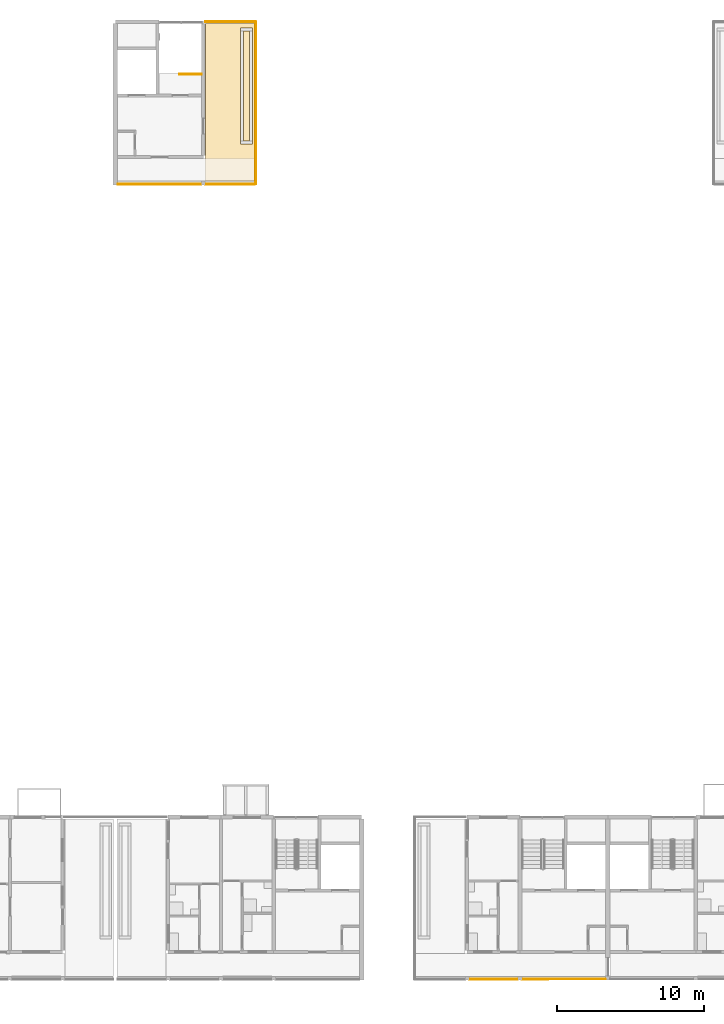
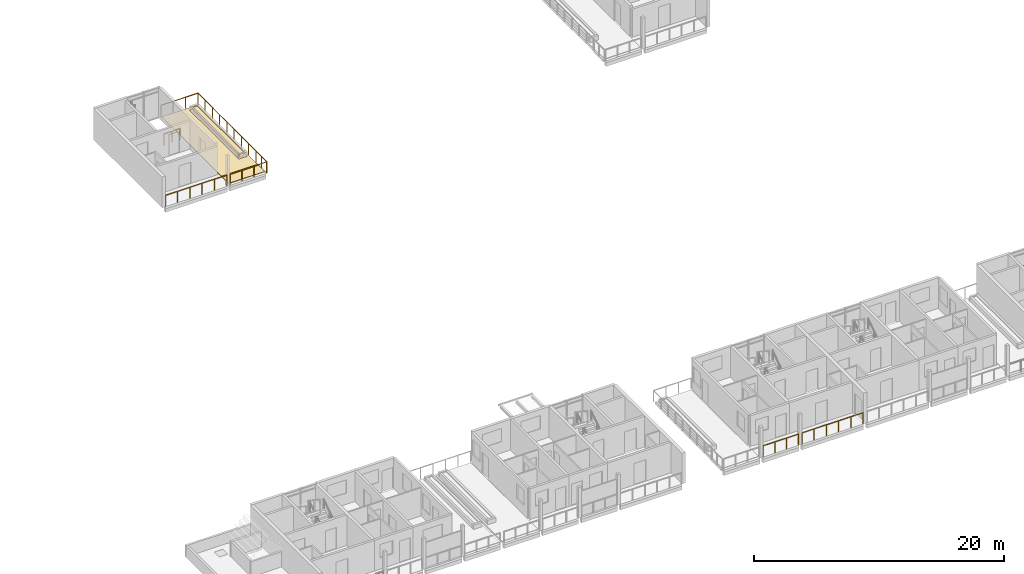
# One storey, part 50 of 55: 7 railings, 3 coverings.
"""IFC4 building model written with IfcOpenShell, lengths in metres."""

from ifc_helpers import new_model, si_unit, direction, frame, origin, origin_2d, place, context, subcontext, project, spatial, polyline, circle, outline, extrude, material, layer, layer_set, type_object, element, save


model = new_model("IFC4")

# Units and contexts
model_context = context("Model", 3, precision=1e-05, world=origin(), true_north=direction((0.0, 1.0)))
body_context = subcontext(model_context, "Body", "Model", "MODEL_VIEW")
ifc_project = project(units=[si_unit("LENGTHUNIT", "METRE"), si_unit("AREAUNIT", "SQUARE_METRE"), si_unit("VOLUMEUNIT", "CUBIC_METRE"), si_unit("PLANEANGLEUNIT", "RADIAN"), si_unit("MASSUNIT", "GRAM", prefix="KILO")], contexts=[model_context])

# Site, building, storey
site_placement = place(None, origin())
site = spatial("IfcSite", under=ifc_project, at=site_placement, CompositionType="ELEMENT")
building_placement = place(site_placement, origin())
building = spatial("IfcBuilding", under=site, at=building_placement, Name="Ridgestep Commons", CompositionType="ELEMENT")
storey_placement = place(building_placement, frame((0.0, 0.0, 36.0)))
storey = spatial("IfcBuildingStorey", under=building, at=storey_placement, Name="L12", CompositionType="ELEMENT", Elevation=36.0)

# Railings
ifc_material_1 = material(Name="Structural steel S355JR", Category="steel")
railing_type_1 = type_object("IfcRailingType", Name="Guard 1100", PredefinedType="GUARDRAIL", material=ifc_material_1)
railing_1_placement = place(storey_placement, frame((189.97900390625, 67.821044921875, 0.0)))
element("IfcRailing", 1, at=railing_1_placement, inside=storey, type_object=railing_type_1, Name="Guard TD-C3R3-GD", PredefinedType="GUARDRAIL", context=body_context, shape_type="SweptSolid", body=[
    extrude(circle(Radius=0.02392578125, at=origin_2d()), frame((0.0, 0.0, 1.076171875), z_axis=(0.0, 1.0, 0.0), x_axis=(-1.0, 0.0, 0.0)), (0.0, 0.0, 1.0), 9.303955078125),
    extrude(circle(Radius=0.02392578125, at=origin_2d()), frame((0.0, 9.303955078125, 1.076171875), z_axis=(-1.0, 0.0, 0.0), x_axis=(0.0, -1.0, 0.0)), (0.0, 0.0, 1.0), 3.43310546875),
    extrude(circle(Radius=0.02099609375, at=origin_2d()), origin(), (0.0, 0.0, 1.0), 1.052001953125),
    extrude(circle(Radius=0.02099609375, at=origin_2d()), frame((0.0, 1.1630859375, 0.0)), (0.0, 0.0, 1.0), 1.052001953125),
    extrude(circle(Radius=0.02099609375, at=origin_2d()), frame((0.0, 2.325927734375, 0.0)), (0.0, 0.0, 1.0), 1.052001953125),
    extrude(circle(Radius=0.02099609375, at=origin_2d()), frame((0.0, 3.489013671875, 0.0)), (0.0, 0.0, 1.0), 1.052001953125),
    extrude(circle(Radius=0.02099609375, at=origin_2d()), frame((0.0, 4.65185546875, 0.0)), (0.0, 0.0, 1.0), 1.052001953125),
    extrude(circle(Radius=0.02099609375, at=origin_2d()), frame((0.0, 5.81494140625, 0.0)), (0.0, 0.0, 1.0), 1.052001953125),
    extrude(circle(Radius=0.02099609375, at=origin_2d()), frame((0.0, 6.97802734375, 0.0)), (0.0, 0.0, 1.0), 1.052001953125),
    extrude(circle(Radius=0.02099609375, at=origin_2d()), frame((0.0, 8.140869140625, 0.0)), (0.0, 0.0, 1.0), 1.052001953125),
    extrude(circle(Radius=0.02099609375, at=origin_2d()), frame((0.0, 9.303955078125, 0.0)), (0.0, 0.0, 1.0), 1.052001953125),
    extrude(circle(Radius=0.02099609375, at=origin_2d()), frame((-1.144287109375, 9.303955078125, 0.0)), (0.0, 0.0, 1.0), 1.052001953125),
    extrude(circle(Radius=0.02099609375, at=origin_2d()), frame((-2.288818359375, 9.303955078125, 0.0)), (0.0, 0.0, 1.0), 1.052001953125),
    extrude(circle(Radius=0.02099609375, at=origin_2d()), frame((-3.43310546875, 9.303955078125, 0.0)), (0.0, 0.0, 1.0), 1.052001953125),
])
railing_2_placement = place(storey_placement, frame((204.5458984375, 11.800048828125, 0.0)))
element("IfcRailing", 2, at=railing_2_placement, inside=storey, type_object=railing_type_1, Name="Gallery guard D 12.2", PredefinedType="GUARDRAIL", context=body_context, shape_type="SweptSolid", body=[
    extrude(circle(Radius=0.02392578125, at=origin_2d()), frame((0.0, 0.0, 1.076171875), z_axis=(1.0, 0.0, 0.0), x_axis=(0.0, 1.0, 0.0)), (0.0, 0.0, 1.0), 3.30810546875),
    extrude(circle(Radius=0.02099609375, at=origin_2d()), origin(), (0.0, 0.0, 1.0), 1.052001953125),
    extrude(circle(Radius=0.02099609375, at=origin_2d()), frame((1.102783203125, 0.0, 0.0)), (0.0, 0.0, 1.0), 1.052001953125),
    extrude(circle(Radius=0.02099609375, at=origin_2d()), frame((2.205322265625, 0.0, 0.0)), (0.0, 0.0, 1.0), 1.052001953125),
    extrude(circle(Radius=0.02099609375, at=origin_2d()), frame((3.30810546875, 0.0, 0.0)), (0.0, 0.0, 1.0), 1.052001953125),
])
railing_3_placement = place(storey_placement, frame((208.14599609375, 11.800048828125, 0.0)))
element("IfcRailing", 3, at=railing_3_placement, inside=storey, type_object=railing_type_1, Name="Gallery guard D 12.3", PredefinedType="GUARDRAIL", context=body_context, shape_type="SweptSolid", body=[
    extrude(circle(Radius=0.02392578125, at=origin_2d()), frame((0.0, 0.0, 1.076171875), z_axis=(1.0, 0.0, 0.0), x_axis=(0.0, 1.0, 0.0)), (0.0, 0.0, 1.0), 5.68310546875),
    extrude(circle(Radius=0.02099609375, at=origin_2d()), origin(), (0.0, 0.0, 1.0), 1.052001953125),
    extrude(circle(Radius=0.02099609375, at=origin_2d()), frame((1.13671875, 0.0, 0.0)), (0.0, 0.0, 1.0), 1.052001953125),
    extrude(circle(Radius=0.02099609375, at=origin_2d()), frame((2.273193359375, 0.0, 0.0)), (0.0, 0.0, 1.0), 1.052001953125),
    extrude(circle(Radius=0.02099609375, at=origin_2d()), frame((3.409912109375, 0.0, 0.0)), (0.0, 0.0, 1.0), 1.052001953125),
    extrude(circle(Radius=0.02099609375, at=origin_2d()), frame((4.54638671875, 0.0, 0.0)), (0.0, 0.0, 1.0), 1.052001953125),
    extrude(circle(Radius=0.02099609375, at=origin_2d()), frame((5.68310546875, 0.0, 0.0)), (0.0, 0.0, 1.0), 1.052001953125),
])
railing_4_placement = place(storey_placement, frame((180.571044921875, 66.050048828125, 0.0)))
element("IfcRailing", 4, at=railing_4_placement, inside=storey, type_object=railing_type_1, Name="Gallery guard C 12.1", PredefinedType="GUARDRAIL", context=body_context, shape_type="SweptSolid", body=[
    extrude(circle(Radius=0.02392578125, at=origin_2d()), frame((0.0, 0.0, 1.076171875), z_axis=(1.0, 0.0, 0.0), x_axis=(0.0, 1.0, 0.0)), (0.0, 0.0, 1.0), 5.682861328125),
    extrude(circle(Radius=0.02099609375, at=origin_2d()), origin(), (0.0, 0.0, 1.0), 1.052001953125),
    extrude(circle(Radius=0.02099609375, at=origin_2d()), frame((1.136474609375, 0.0, 0.0)), (0.0, 0.0, 1.0), 1.052001953125),
    extrude(circle(Radius=0.02099609375, at=origin_2d()), frame((2.273193359375, 0.0, 0.0)), (0.0, 0.0, 1.0), 1.052001953125),
    extrude(circle(Radius=0.02099609375, at=origin_2d()), frame((3.40966796875, 0.0, 0.0)), (0.0, 0.0, 1.0), 1.052001953125),
    extrude(circle(Radius=0.02099609375, at=origin_2d()), frame((4.54638671875, 0.0, 0.0)), (0.0, 0.0, 1.0), 1.052001953125),
    extrude(circle(Radius=0.02099609375, at=origin_2d()), frame((5.682861328125, 0.0, 0.0)), (0.0, 0.0, 1.0), 1.052001953125),
])
railing_5_placement = place(storey_placement, frame((186.5458984375, 66.050048828125, 0.0)))
element("IfcRailing", 5, at=railing_5_placement, inside=storey, type_object=railing_type_1, Name="Gallery guard C 12.2", PredefinedType="GUARDRAIL", context=body_context, shape_type="SweptSolid", body=[
    extrude(circle(Radius=0.02392578125, at=origin_2d()), frame((0.0, 0.0, 1.076171875), z_axis=(1.0, 0.0, 0.0), x_axis=(0.0, 1.0, 0.0)), (0.0, 0.0, 1.0), 3.3701171875),
    extrude(circle(Radius=0.02099609375, at=origin_2d()), origin(), (0.0, 0.0, 1.0), 1.052001953125),
    extrude(circle(Radius=0.02099609375, at=origin_2d()), frame((1.123291015625, 0.0, 0.0)), (0.0, 0.0, 1.0), 1.052001953125),
    extrude(circle(Radius=0.02099609375, at=origin_2d()), frame((2.246826171875, 0.0, 0.0)), (0.0, 0.0, 1.0), 1.052001953125),
    extrude(circle(Radius=0.02099609375, at=origin_2d()), frame((3.3701171875, 0.0, 0.0)), (0.0, 0.0, 1.0), 1.052001953125),
])
railing_6_placement = place(storey_placement, frame((189.97900390625, 66.050048828125, 0.0)))
element("IfcRailing", 6, at=railing_6_placement, inside=storey, type_object=railing_type_1, Name="Gallery end guard C 12.2E", PredefinedType="GUARDRAIL", context=body_context, shape_type="SweptSolid", body=[
    extrude(circle(Radius=0.02392578125, at=origin_2d()), frame((0.0, 0.0, 1.076171875), z_axis=(0.0, 1.0, 0.0), x_axis=(-1.0, 0.0, 0.0)), (0.0, 0.0, 1.0), 1.72900390625),
    extrude(circle(Radius=0.02099609375, at=origin_2d()), origin(), (0.0, 0.0, 1.0), 1.052001953125),
    extrude(circle(Radius=0.02099609375, at=origin_2d()), frame((0.0, 0.864501953125, 0.0)), (0.0, 0.0, 1.0), 1.052001953125),
    extrude(circle(Radius=0.02099609375, at=origin_2d()), frame((0.0, 1.72900390625, 0.0)), (0.0, 0.0, 1.0), 1.052001953125),
])

# Covering
ifc_material_2 = material(Name="Planting soil")
ifc_layer_1 = layer(ifc_material_2, 0.35009765625)
ifc_layer_set_1 = layer_set([ifc_layer_1], Name="Planting soil 350")
covering_type_1 = type_object("IfcCoveringType", Name="Planting soil 350", PredefinedType="FLOORING", material=ifc_layer_set_1)
covering_1_placement = place(storey_placement, frame((0.0, 0.0, 0.010009765625)))
element("IfcCovering", 7, at=covering_1_placement, inside=storey, type_object=covering_type_1, Name="Planting soil C3R3", PredefinedType="FLOORING", context=body_context, shape_type="SweptSolid", body=[
    extrude(outline(polyline([(189.14990234375, 69.0), (189.550048828125, 69.0), (189.550048828125, 76.5), (189.14990234375, 76.5), (189.14990234375, 69.0)])), origin(), (0.0, 0.0, 1.0), 0.35009765625),
])

# Railing
ifc_material_3 = material(Name="Structural steel S355JR", Category="steel")
railing_type_2 = type_object("IfcRailingType", Name="Stair guard 1100", PredefinedType="GUARDRAIL", material=ifc_material_3)
railing_7_placement = place(storey_placement, frame((186.27490234375, 73.550048828125, 0.0)))
element("IfcRailing", 8, at=railing_7_placement, inside=storey, type_object=railing_type_2, Name="L12 C3C top well guard 1", PredefinedType="GUARDRAIL", context=body_context, shape_type="SweptSolid", body=[
    extrude(circle(Radius=0.02392578125, at=origin_2d()), frame((0.0, 0.0, 1.076171875), z_axis=(-1.0, 0.0, 0.0), x_axis=(0.0, -1.0, 0.0)), (0.0, 0.0, 1.0), 1.5),
    extrude(circle(Radius=0.02099609375, at=origin_2d()), origin(), (0.0, 0.0, 1.0), 1.052001953125),
    extrude(circle(Radius=0.02099609375, at=origin_2d()), frame((-0.75, 0.0, 0.0)), (0.0, 0.0, 1.0), 1.052001953125),
    extrude(circle(Radius=0.02099609375, at=origin_2d()), frame((-1.5, 0.0, 0.0)), (0.0, 0.0, 1.0), 1.052001953125),
])

# Coverings
ifc_material_4 = material(Name="Bitumen membrane, two layer")
ifc_layer_2 = layer(ifc_material_4, 0.010009765625)
ifc_layer_set_2 = layer_set([ifc_layer_2], Name="Terrace membrane 10")
covering_type_2 = type_object("IfcCoveringType", Name="Terrace membrane 10", PredefinedType="ROOFING", material=ifc_layer_set_2)
covering_2_placement = place(storey_placement, origin())
element("IfcCovering", 9, at=covering_2_placement, inside=storey, type_object=covering_type_2, Name="Terrace membrane C3R3", PredefinedType="ROOFING", context=body_context, shape_type="SweptSolid", body=[
    extrude(outline(polyline([(189.875, 66.25), (189.875, 77.0), (186.550048828125, 77.0), (186.550048828125, 66.25), (189.875, 66.25)]), holes=[polyline([(189.75, 68.800048828125), (189.75, 76.699951171875), (188.949951171875, 76.699951171875), (188.949951171875, 68.800048828125), (189.75, 68.800048828125)])]), origin(), (0.0, 0.0, 1.0), 0.010009765625),
])
ifc_material_5 = material(Name="Concrete paving slab", Category="concrete")
ifc_layer_3 = layer(ifc_material_5, 0.030029296875)
ifc_layer_set_3 = layer_set([ifc_layer_3], Name="Terrace paving 30")
covering_type_3 = type_object("IfcCoveringType", Name="Terrace paving 30", PredefinedType="FLOORING", material=ifc_layer_set_3)
covering_3_placement = place(storey_placement, frame((0.0, 0.0, 0.010009765625)))
element("IfcCovering", 10, at=covering_3_placement, inside=storey, type_object=covering_type_3, Name="Terrace paving C3R3", PredefinedType="FLOORING", context=body_context, shape_type="SweptSolid", body=[
    extrude(outline(polyline([(189.875, 66.25), (189.875, 77.0), (186.550048828125, 77.0), (186.550048828125, 66.25), (189.875, 66.25)]), holes=[polyline([(189.75, 68.800048828125), (189.75, 76.699951171875), (188.949951171875, 76.699951171875), (188.949951171875, 68.800048828125), (189.75, 68.800048828125)])]), origin(), (0.0, 0.0, 1.0), 0.030029296875),
])

save(model, "model.ifc")
